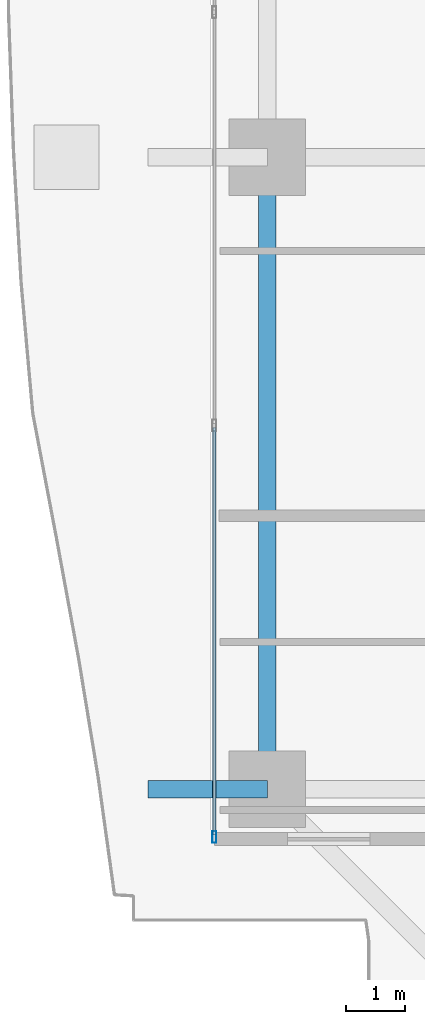
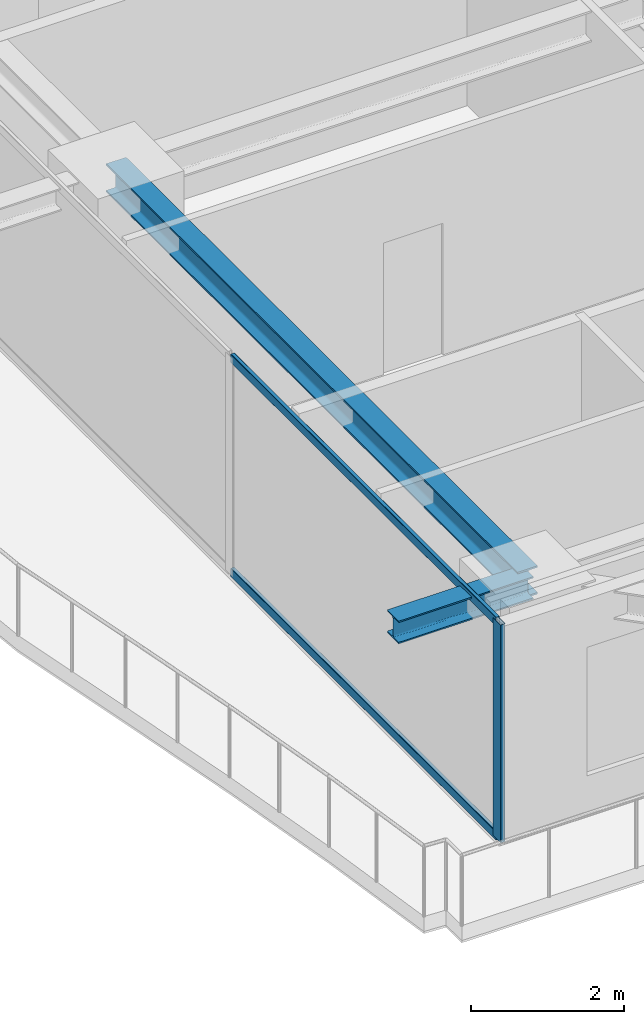
# One storey, part 3 of 37: 3 members, 2 beams, 1 element without a shape of its own.
"""IFC4 building model written with IfcOpenShell, lengths in metres."""

from ifc_helpers import new_model, si_unit, direction, frame, origin, origin_2d, place, context, subcontext, project, spatial, hollow_rectangle, i_section, extrude, source, transform, mapped, material, layer, layer_set, material_profile, profile_set, type_object, element, aggregate, save


model = new_model("IFC4")

# Units and contexts
model_context = context("Model", 3, precision=1e-05, world=origin(), true_north=direction((0.0, 1.0)))
body_context = subcontext(model_context, "Body", "Model", "MODEL_VIEW")
ifc_project = project(units=[si_unit("LENGTHUNIT", "METRE"), si_unit("AREAUNIT", "SQUARE_METRE"), si_unit("VOLUMEUNIT", "CUBIC_METRE"), si_unit("PLANEANGLEUNIT", "RADIAN"), si_unit("MASSUNIT", "GRAM", prefix="KILO")], contexts=[model_context])

# Site, building, storey
site_placement = place(None, origin())
site = spatial("IfcSite", under=ifc_project, at=site_placement, CompositionType="ELEMENT")
building_placement = place(site_placement, origin())
building = spatial("IfcBuilding", under=site, at=building_placement, Name="Serunith Strait Residences", CompositionType="ELEMENT")
storey_placement = place(building_placement, frame((0.0, 0.0, 127.64990234375)))
storey = spatial("IfcBuildingStorey", under=building, at=storey_placement, Name="L31", CompositionType="ELEMENT", Elevation=127.64990234375)

# Beams
ifc_material_1 = material(Name="Steel S355J2", Category="steel")
ifc_material_profile_1 = material_profile(ifc_material_1, i_section(OverallWidth=0.300048828125, OverallDepth=0.449951171875, WebThickness=0.013916015625, FlangeThickness=0.02587890625, FilletRadius=0.027099609375, at=origin_2d()), Name="HEB 450")
ifc_profile_set_1 = profile_set([ifc_material_profile_1], Name="Steel S355J2")
beam_type_1 = type_object("IfcBeamType", Name="BM-HEB450", PredefinedType="BEAM", material=ifc_profile_set_1)
shared_shape_1 = source(origin(), body_context, "Body", "SweptSolid", [
    extrude(i_section(OverallWidth=0.300048828125, OverallDepth=0.449951171875, WebThickness=0.013916015625, FlangeThickness=0.02587890625, FilletRadius=0.027099609375, at=origin_2d()), origin(), (0.0, 0.0, 1.0), 10.75),
])
beam_1_placement = place(storey_placement, frame((8.699951171875, 21.0, 3.26220703125), z_axis=(0.0, -1.0, 0.0), x_axis=(1.0, 0.0, 0.0)))
element("IfcBeam", 1, at=beam_1_placement, inside=storey, type_object=beam_type_1, Name="L31 Perimeter Ring Beam 15", PredefinedType="BEAM", context=body_context, shape_type="MappedRepresentation", body=[
    mapped(shared_shape_1, transform((0.0, 0.0, 0.0), scale=1.0)),
])
ifc_material_profile_2 = material_profile(ifc_material_1, i_section(OverallWidth=0.300048828125, OverallDepth=0.360107421875, WebThickness=0.012451171875, FlangeThickness=0.0224609375, FilletRadius=0.027099609375, at=origin_2d()), Name="HEB 360")
ifc_profile_set_2 = profile_set([ifc_material_profile_2], Name="Steel S355J2")
beam_type_2 = type_object("IfcBeamType", Name="BM-HEB360", PredefinedType="BEAM", material=ifc_profile_set_2)
shared_shape_2 = source(origin(), body_context, "Body", "SweptSolid", [
    extrude(i_section(OverallWidth=0.300048828125, OverallDepth=0.360107421875, WebThickness=0.012451171875, FlangeThickness=0.0224609375, FilletRadius=0.027099609375, at=origin_2d()), origin(), (0.0, 0.0, 1.0), 2.030029296875),
])
beam_2_placement = place(storey_placement, frame((8.699951171875, 10.25, 3.277099609375), z_axis=(-1.0, 0.0, 0.0), x_axis=(0.0, -1.0, 0.0)))
element("IfcBeam", 2, at=beam_2_placement, inside=storey, type_object=beam_type_2, Name="L32 Cantilevered Balcony Rib TC-W1", PredefinedType="BEAM", context=body_context, shape_type="MappedRepresentation", body=[
    mapped(shared_shape_2, transform((0.0, 0.0, 0.0), scale=1.0)),
])

# Curtain wall, members
ifc_material_2 = material(Name="Pale-Champagne Anodised Aluminium", Category="aluminium")
ifc_layer = layer(ifc_material_2, 0.199951171875, Name="Pale-Champagne Anodised Aluminium")
ifc_layer_set = layer_set([ifc_layer], Name="Pale-Champagne Anodised Aluminium")
curtain_wall_type = type_object("IfcCurtainWallType", Name="CW-SYS2", PredefinedType="NOTDEFINED", material=ifc_layer_set)
curtain_wall_placement = place(storey_placement, origin())
curtain_wall = element("IfcCurtainWall", 3, at=curtain_wall_placement, inside=storey, type_object=curtain_wall_type, Name="L31 W Unitised Fritted Curtain Wall", PredefinedType="NOTDEFINED")
ifc_material_profile_3 = material_profile(ifc_material_2, hollow_rectangle(XDim=0.070068359375, YDim=0.199951171875, WallThickness=0.00390625, InnerFilletRadius=0.006103515625, OuterFilletRadius=0.010009765625, at=origin_2d()), Name="ALU 200x70x4")
ifc_profile_set_3 = profile_set([ifc_material_profile_3], Name="Pale-Champagne Anodised Aluminium")
member_type_1 = type_object("IfcMemberType", Name="CW-SYS2-MULL", PredefinedType="MULLION", material=ifc_profile_set_3)
shared_shape_3 = source(origin(), body_context, "Body", "SweptSolid", [
    extrude(hollow_rectangle(XDim=0.070068359375, YDim=0.199951171875, WallThickness=0.00390625, InnerFilletRadius=0.006103515625, OuterFilletRadius=0.010009765625, at=origin_2d()), origin(), (0.0, 0.0, 1.0), 3.47509765625),
])
member_1_placement = place(storey_placement, frame((7.800048828125, 9.43505859375, 0.0), z_axis=(0.0, 0.0, 1.0), x_axis=(1.0, 0.0, 0.0)))
member_1 = element("IfcMember", 4, at=member_1_placement, type_object=member_type_1, Name="CW-2 mullion 4", PredefinedType="MULLION", context=body_context, shape_type="MappedRepresentation", body=[
    mapped(shared_shape_3, transform((0.0, 0.0, 0.0), scale=1.0)),
])
ifc_material_profile_4 = material_profile(ifc_material_2, hollow_rectangle(XDim=0.06005859375, YDim=0.139892578125, WallThickness=0.00341796875, InnerFilletRadius=0.00537109375, OuterFilletRadius=0.0087890625, at=origin_2d()), Name="ALU 140x60x3.5")
ifc_profile_set_4 = profile_set([ifc_material_profile_4], Name="Pale-Champagne Anodised Aluminium")
member_type_2 = type_object("IfcMemberType", Name="CW-SYS2-TRAN", PredefinedType="USERDEFINED", material=ifc_profile_set_4)
shared_shape_4 = source(origin(), body_context, "Body", "SweptSolid", [
    extrude(hollow_rectangle(XDim=0.06005859375, YDim=0.139892578125, WallThickness=0.00341796875, InnerFilletRadius=0.00537109375, OuterFilletRadius=0.0087890625, at=origin_2d()), origin(), (0.0, 0.0, 1.0), 6.928466796875),
])
member_2_placement = place(storey_placement, frame((7.800048828125, 16.3984375, 0.030029296875), z_axis=(0.0, -1.0, 0.0), x_axis=(1.0, 0.0, 0.0)))
member_2 = element("IfcMember", 5, at=member_2_placement, type_object=member_type_2, Name="CW-2 transom 3.1", ObjectType="TRANSOM", PredefinedType="USERDEFINED", context=body_context, shape_type="MappedRepresentation", body=[
    mapped(shared_shape_4, transform((0.0, 0.0, 0.0), scale=1.0)),
])
member_3_placement = place(storey_placement, frame((7.800048828125, 16.3984375, 3.445068359375), z_axis=(0.0, -1.0, 0.0), x_axis=(1.0, 0.0, 0.0)))
member_3 = element("IfcMember", 6, at=member_3_placement, type_object=member_type_2, Name="CW-2 transom 3.2", ObjectType="TRANSOM", PredefinedType="USERDEFINED", context=body_context, shape_type="MappedRepresentation", body=[
    mapped(shared_shape_4, transform((0.0, 0.0, 0.0), scale=1.0)),
])
aggregate(curtain_wall, [member_1, member_2, member_3])

save(model, "model.ifc")
